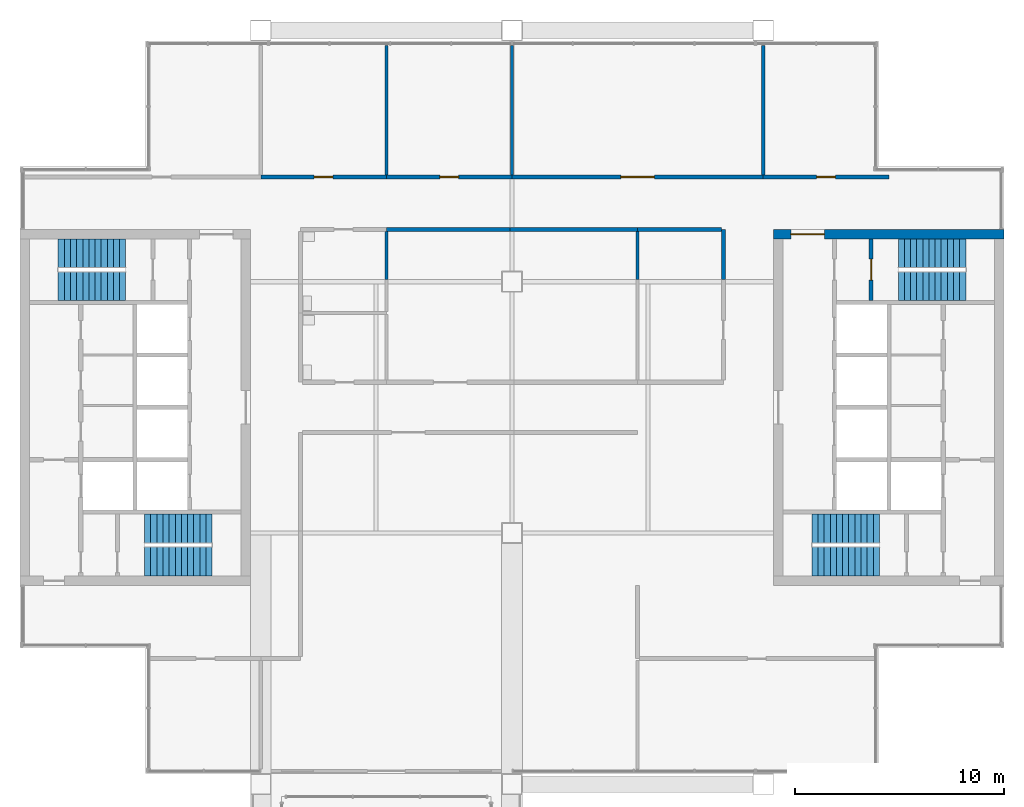
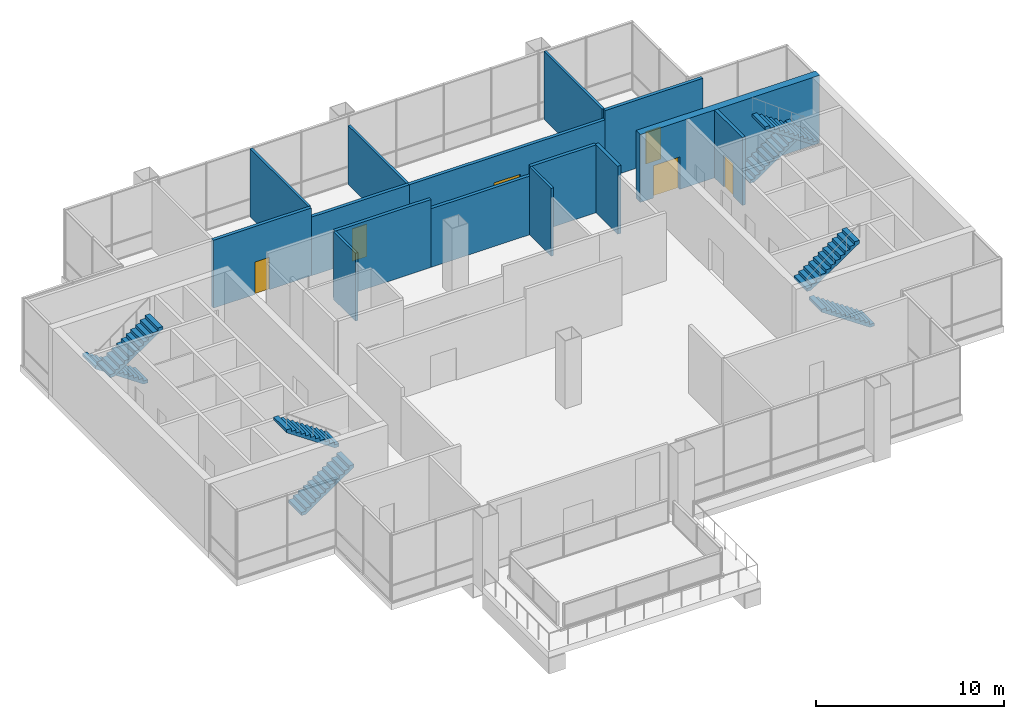
# One storey, part 13 of 15: 15 walls, 8 stair flights, 6 doors, 6 openings, 4 elements without a shape of their own.
"""IFC4 building model written with IfcOpenShell, lengths in metres."""

from ifc_helpers import new_model, si_unit, direction, frame, frame_2d, origin, place, context, subcontext, project, spatial, polyline, rectangle, outline, extrude, material, layer, layer_set, type_object, element, fill, aggregate, save


model = new_model("IFC4")

# Units and contexts
model_context = context("Model", 3, precision=1e-05, world=origin(), true_north=direction((0.0, 1.0)))
body_context = subcontext(model_context, "Body", "Model", "MODEL_VIEW")
ifc_project = project(units=[si_unit("LENGTHUNIT", "METRE"), si_unit("AREAUNIT", "SQUARE_METRE"), si_unit("VOLUMEUNIT", "CUBIC_METRE"), si_unit("PLANEANGLEUNIT", "RADIAN"), si_unit("MASSUNIT", "GRAM", prefix="KILO")], contexts=[model_context])

# Site, building, storey
site_placement = place(None, origin())
site = spatial("IfcSite", under=ifc_project, at=site_placement, CompositionType="ELEMENT")
building_placement = place(site_placement, origin())
building = spatial("IfcBuilding", under=site, at=building_placement, Name="Kitamizu Gate Tower and Museum", CompositionType="ELEMENT")
storey_placement = place(building_placement, frame((0.0, 0.0, 273.14990234375)))
storey = spatial("IfcBuildingStorey", under=building, at=storey_placement, Name="L74", CompositionType="ELEMENT", Elevation=273.14990234375)

# Wall, opening, door
ifc_material_1 = material(Name="Concrete Fc42", Category="concrete")
ifc_layer_1 = layer(ifc_material_1, 0.449951171875)
ifc_layer_set_1 = layer_set([ifc_layer_1], Name="Concrete Fc42")
wall_type_1 = type_object("IfcWallType", Name="Core wall 450 EI 60", PredefinedType="SHEAR", material=ifc_layer_set_1)
wall_1_placement = place(storey_placement, frame((59.5, 38.27490234375, 0.0), z_axis=(0.0, 0.0, 1.0), x_axis=(-1.0, 0.0, 0.0)))
wall_1 = element("IfcWall", 1, at=wall_1_placement, inside=storey, type_object=wall_type_1, Name="Core wall EN", PredefinedType="SHEAR", context=body_context, shape_type="SweptSolid", body=[
    extrude(rectangle(XDim=11.0, YDim=0.449951171875, at=frame_2d((5.5, 0.0))), origin(), (0.0, 0.0, 1.0), 4.400146484375),
])
opening_1_placement = place(wall_1_placement, frame((8.574951171875, 0.0, 0.0)))
opening_1 = element("IfcOpeningElement", 2, at=opening_1_placement, cuts=wall_1, Name="Opening L74-030", PredefinedType="OPENING", context=body_context, shape_type="SweptSolid", body=[
    extrude(rectangle(XDim=1.60009765625, YDim=2.10009765625, at=frame_2d((0.800048828125, 1.050048828125))), frame((0.0, 0.23486328125, 0.0), z_axis=(0.0, -1.0, 0.0), x_axis=(1.0, 0.0, 0.0)), (0.0, 0.0, 1.0), 0.469970703125),
])
ifc_material_2 = material(Name="Timber door set", Category="wood")
door_type_1 = type_object("IfcDoorType", Name="Entrance door 1600", OperationType="DOUBLE_DOOR_SINGLE_SWING", PredefinedType="DOOR", material=ifc_material_2)
door_1_placement = place(opening_1_placement, origin())
door_1 = element("IfcDoor", 3, at=door_1_placement, inside=storey, type_object=door_type_1, Name="Lobby door L74-030", OperationType="DOUBLE_DOOR_SINGLE_SWING", OverallHeight=2.10009765625, OverallWidth=1.60009765625, PredefinedType="DOOR", context=body_context, shape_type="SweptSolid", body=[
    extrude(rectangle(XDim=1.60009765625, YDim=2.10009765625, at=frame_2d((0.800048828125, 1.050048828125))), frame((0.0, 0.02490234375, 0.0), z_axis=(0.0, -1.0, 0.0), x_axis=(1.0, 0.0, 0.0)), (0.0, 0.0, 1.0), 0.050048828125),
])
fill(opening_1, door_1)

# Walls
ifc_material_3 = material(Name="Gypsum board on galvanised stud")
ifc_layer_2 = layer(ifc_material_3, 0.14990234375)
ifc_layer_set_2 = layer_set([ifc_layer_2], Name="Gypsum board on galvanised stud")
wall_type_2 = type_object("IfcWallType", Name="Partition 150", PredefinedType="PARTITIONING", material=ifc_layer_set_2)
wall_2_placement = place(storey_placement, frame((30.0, 41.10009765625, 0.0), z_axis=(0.0, 0.0, 1.0), x_axis=(0.0, 1.0, 0.0)))
element("IfcWall", 4, at=wall_2_placement, inside=storey, type_object=wall_type_2, Name="Partition L74-030", PredefinedType="PARTITIONING", context=body_context, shape_type="SweptSolid", body=[
    extrude(rectangle(XDim=6.179931640625, YDim=0.14990234375, at=frame_2d((3.08984375, 0.0))), origin(), (0.0, 0.0, 1.0), 4.400146484375),
])
wall_3_placement = place(storey_placement, frame((36.0, 41.10009765625, 0.0), z_axis=(0.0, 0.0, 1.0), x_axis=(0.0, 1.0, 0.0)))
element("IfcWall", 5, at=wall_3_placement, inside=storey, type_object=wall_type_2, Name="Partition L74-031", PredefinedType="PARTITIONING", context=body_context, shape_type="SweptSolid", body=[
    extrude(rectangle(XDim=6.179931640625, YDim=0.14990234375, at=frame_2d((3.08984375, 0.0))), origin(), (0.0, 0.0, 1.0), 3.800048828125),
])
wall_4_placement = place(storey_placement, frame((48.0, 41.10009765625, 0.0), z_axis=(0.0, 0.0, 1.0), x_axis=(0.0, 1.0, 0.0)))
element("IfcWall", 6, at=wall_4_placement, inside=storey, type_object=wall_type_2, Name="Partition L74-032", PredefinedType="PARTITIONING", context=body_context, shape_type="SweptSolid", body=[
    extrude(rectangle(XDim=6.179931640625, YDim=0.14990234375, at=frame_2d((3.08984375, 0.0))), origin(), (0.0, 0.0, 1.0), 4.400146484375),
])
for number, where, z_axis, x_axis, name in (
    (7, (30.0, 36.10009765625, 0.0), (0.0, 0.0, 1.0), (0.0, 1.0, 0.0), "Partition L74-035"),
    (8, (42.0, 36.10009765625, 0.0), (0.0, 0.0, 1.0), (0.0, 1.0, 0.0), "Partition L74-038"),
):
    element("IfcWall", number, at=place(storey_placement, frame(where, z_axis=z_axis, x_axis=x_axis)), inside=storey, type_object=wall_type_2, Name=name, PredefinedType="PARTITIONING", context=body_context, shape_type="SweptSolid", body=[
        extrude(rectangle(XDim=2.2998046875, YDim=0.14990234375, at=frame_2d((1.14990234375, 0.0))), origin(), (0.0, 0.0, 1.0), 4.400146484375),
    ])

# Wall, opening, door
ifc_material_4 = material(Name="Gypsum board on galvanised stud")
ifc_layer_3 = layer(ifc_material_4, 0.199951171875)
ifc_layer_set_3 = layer_set([ifc_layer_3], Name="Gypsum board on galvanised stud")
wall_type_3 = type_object("IfcWallType", Name="Partition 200", PredefinedType="PARTITIONING", material=ifc_layer_set_3)
wall_5_placement = place(storey_placement, frame((30.0, 41.0, 0.0), z_axis=(0.0, 0.0, 1.0), x_axis=(-1.0, 0.0, 0.0)))
wall_5 = element("IfcWall", 9, at=wall_5_placement, inside=storey, type_object=wall_type_3, Name="Partition L74-010", PredefinedType="PARTITIONING", context=body_context, shape_type="SweptSolid", body=[
    extrude(rectangle(XDim=6.0, YDim=0.199951171875, at=frame_2d((3.0, 0.0))), origin(), (0.0, 0.0, 1.0), 4.400146484375),
])
opening_2_placement = place(wall_5_placement, frame((2.550048828125, 0.0, 0.0)))
opening_2 = element("IfcOpeningElement", 10, at=opening_2_placement, cuts=wall_5, Name="Opening L74-005", PredefinedType="OPENING", context=body_context, shape_type="SweptSolid", body=[
    extrude(rectangle(XDim=0.89990234375, YDim=2.10009765625, at=frame_2d((0.449951171875, 1.050048828125))), frame((0.0, 0.10986328125, 0.0), z_axis=(0.0, -1.0, 0.0), x_axis=(1.0, 0.0, 0.0)), (0.0, 0.0, 1.0), 0.219970703125),
])
ifc_material_5 = material(Name="Timber door set", Category="wood")
door_type_2 = type_object("IfcDoorType", Name="Room door 900", OperationType="NOTDEFINED", PredefinedType="DOOR", material=ifc_material_5)
door_2_placement = place(opening_2_placement, frame((0.89990234375, 0.0, 0.0), x_axis=(-1.0, 0.0, 0.0)))
door_2 = element("IfcDoor", 11, at=door_2_placement, inside=storey, type_object=door_type_2, Name="Door L74-005", OperationType="SINGLE_SWING_LEFT", OverallHeight=2.10009765625, OverallWidth=0.89990234375, PredefinedType="DOOR", context=body_context, shape_type="SweptSolid", body=[
    extrude(rectangle(XDim=0.89990234375, YDim=2.10009765625, at=frame_2d((0.449951171875, 1.050048828125))), frame((0.0, 0.02490234375, 0.0), z_axis=(0.0, -1.0, 0.0), x_axis=(1.0, 0.0, 0.0)), (0.0, 0.0, 1.0), 0.050048828125),
])
fill(opening_2, door_2)

wall_6_placement = place(storey_placement, frame((36.0, 41.0, 0.0), z_axis=(0.0, 0.0, 1.0), x_axis=(-1.0, 0.0, 0.0)))
wall_6 = element("IfcWall", 12, at=wall_6_placement, inside=storey, type_object=wall_type_3, Name="Partition L74-011", PredefinedType="PARTITIONING", context=body_context, shape_type="SweptSolid", body=[
    extrude(rectangle(XDim=6.0, YDim=0.199951171875, at=frame_2d((3.0, 0.0))), origin(), (0.0, 0.0, 1.0), 3.800048828125),
])
opening_3_placement = place(wall_6_placement, frame((2.550048828125, 0.0, 0.0)))
opening_3 = element("IfcOpeningElement", 13, at=opening_3_placement, cuts=wall_6, Name="Opening L74-006", PredefinedType="OPENING", context=body_context, shape_type="SweptSolid", body=[
    extrude(rectangle(XDim=0.89990234375, YDim=2.10009765625, at=frame_2d((0.449951171875, 1.050048828125))), frame((0.0, 0.10986328125, 0.0), z_axis=(0.0, -1.0, 0.0), x_axis=(1.0, 0.0, 0.0)), (0.0, 0.0, 1.0), 0.219970703125),
])
door_3_placement = place(opening_3_placement, frame((0.89990234375, 0.0, 0.0), x_axis=(-1.0, 0.0, 0.0)))
door_3 = element("IfcDoor", 14, at=door_3_placement, inside=storey, type_object=door_type_2, Name="Door L74-006", OperationType="SINGLE_SWING_RIGHT", OverallHeight=2.10009765625, OverallWidth=0.89990234375, PredefinedType="DOOR", context=body_context, shape_type="SweptSolid", body=[
    extrude(rectangle(XDim=0.89990234375, YDim=2.10009765625, at=frame_2d((0.449951171875, 1.050048828125))), frame((0.0, 0.02490234375, 0.0), z_axis=(0.0, -1.0, 0.0), x_axis=(1.0, 0.0, 0.0)), (0.0, 0.0, 1.0), 0.050048828125),
])
fill(opening_3, door_3)

wall_7_placement = place(storey_placement, frame((48.0, 41.0, 0.0), z_axis=(0.0, 0.0, 1.0), x_axis=(-1.0, 0.0, 0.0)))
wall_7 = element("IfcWall", 15, at=wall_7_placement, inside=storey, type_object=wall_type_3, Name="Partition L74-012", PredefinedType="PARTITIONING", context=body_context, shape_type="SweptSolid", body=[
    extrude(rectangle(XDim=12.0, YDim=0.199951171875, at=frame_2d((6.0, 0.0))), origin(), (0.0, 0.0, 1.0), 3.800048828125),
])
opening_4_placement = place(wall_7_placement, frame((5.199951171875, 0.0, 0.0)))
opening_4 = element("IfcOpeningElement", 16, at=opening_4_placement, cuts=wall_7, Name="Opening L74-007", PredefinedType="OPENING", context=body_context, shape_type="SweptSolid", body=[
    extrude(rectangle(XDim=1.60009765625, YDim=2.10009765625, at=frame_2d((0.800048828125, 1.050048828125))), frame((0.0, 0.10986328125, 0.0), z_axis=(0.0, -1.0, 0.0), x_axis=(1.0, 0.0, 0.0)), (0.0, 0.0, 1.0), 0.219970703125),
])
ifc_material_6 = material(Name="Timber door set", Category="wood")
door_type_3 = type_object("IfcDoorType", Name="Double door 1600", OperationType="DOUBLE_DOOR_SINGLE_SWING", PredefinedType="DOOR", material=ifc_material_6)
door_4_placement = place(opening_4_placement, origin())
door_4 = element("IfcDoor", 17, at=door_4_placement, inside=storey, type_object=door_type_3, Name="Double door L74-007", OperationType="DOUBLE_DOOR_SINGLE_SWING", OverallHeight=2.10009765625, OverallWidth=1.60009765625, PredefinedType="DOOR", context=body_context, shape_type="SweptSolid", body=[
    extrude(rectangle(XDim=1.60009765625, YDim=2.10009765625, at=frame_2d((0.800048828125, 1.050048828125))), frame((0.0, 0.02490234375, 0.0), z_axis=(0.0, -1.0, 0.0), x_axis=(1.0, 0.0, 0.0)), (0.0, 0.0, 1.0), 0.050048828125),
])
fill(opening_4, door_4)

wall_8_placement = place(storey_placement, frame((54.0, 41.0, 0.0), z_axis=(0.0, 0.0, 1.0), x_axis=(-1.0, 0.0, 0.0)))
wall_8 = element("IfcWall", 18, at=wall_8_placement, inside=storey, type_object=wall_type_3, Name="Partition L74-013", PredefinedType="PARTITIONING", context=body_context, shape_type="SweptSolid", body=[
    extrude(rectangle(XDim=6.0, YDim=0.199951171875, at=frame_2d((3.0, 0.0))), origin(), (0.0, 0.0, 1.0), 4.400146484375),
])
opening_5_placement = place(wall_8_placement, frame((2.550048828125, 0.0, 0.0)))
opening_5 = element("IfcOpeningElement", 19, at=opening_5_placement, cuts=wall_8, Name="Opening L74-008", PredefinedType="OPENING", context=body_context, shape_type="SweptSolid", body=[
    extrude(rectangle(XDim=0.89990234375, YDim=2.10009765625, at=frame_2d((0.449951171875, 1.050048828125))), frame((0.0, 0.10986328125, 0.0), z_axis=(0.0, -1.0, 0.0), x_axis=(1.0, 0.0, 0.0)), (0.0, 0.0, 1.0), 0.219970703125),
])
door_5_placement = place(opening_5_placement, frame((0.89990234375, 0.0, 0.0), x_axis=(-1.0, 0.0, 0.0)))
door_5 = element("IfcDoor", 20, at=door_5_placement, inside=storey, type_object=door_type_2, Name="Door L74-008", OperationType="SINGLE_SWING_LEFT", OverallHeight=2.10009765625, OverallWidth=0.89990234375, PredefinedType="DOOR", context=body_context, shape_type="SweptSolid", body=[
    extrude(rectangle(XDim=0.89990234375, YDim=2.10009765625, at=frame_2d((0.449951171875, 1.050048828125))), frame((0.0, 0.02490234375, 0.0), z_axis=(0.0, -1.0, 0.0), x_axis=(1.0, 0.0, 0.0)), (0.0, 0.0, 1.0), 0.050048828125),
])
fill(opening_5, door_5)

# Walls
wall_9_placement = place(storey_placement, frame((42.0, 38.5, 0.0), z_axis=(0.0, 0.0, 1.0), x_axis=(-1.0, 0.0, 0.0)))
element("IfcWall", 21, at=wall_9_placement, inside=storey, type_object=wall_type_3, Name="Partition L74-021", PredefinedType="PARTITIONING", context=body_context, shape_type="SweptSolid", body=[
    extrude(rectangle(XDim=6.10009765625, YDim=0.199951171875, at=frame_2d((3.050048828125, 0.0))), origin(), (0.0, 0.0, 1.0), 3.800048828125),
])
wall_10_placement = place(storey_placement, frame((35.89990234375, 38.5, 0.0), z_axis=(0.0, 0.0, 1.0), x_axis=(-1.0, 0.0, 0.0)))
element("IfcWall", 22, at=wall_10_placement, inside=storey, type_object=wall_type_3, Name="Partition L74-022", PredefinedType="PARTITIONING", context=body_context, shape_type="SweptSolid", body=[
    extrude(rectangle(XDim=5.89990234375, YDim=0.199951171875, at=frame_2d((2.949951171875, 0.0))), origin(), (0.0, 0.0, 1.0), 4.400146484375),
])
wall_11_placement = place(storey_placement, frame((46.10009765625, 36.10009765625, 0.0), z_axis=(0.0, 0.0, 1.0), x_axis=(0.0, 1.0, 0.0)))
element("IfcWall", 23, at=wall_11_placement, inside=storey, type_object=wall_type_3, Name="Partition L74-025", PredefinedType="PARTITIONING", context=body_context, shape_type="SweptSolid", body=[
    extrude(rectangle(XDim=2.39990234375, YDim=0.199951171875, at=frame_2d((1.199951171875, 0.0))), origin(), (0.0, 0.0, 1.0), 4.400146484375),
])
wall_12_placement = place(storey_placement, frame((46.0, 38.5, 0.0), z_axis=(0.0, 0.0, 1.0), x_axis=(-1.0, 0.0, 0.0)))
element("IfcWall", 24, at=wall_12_placement, inside=storey, type_object=wall_type_3, Name="Partition L74-026", PredefinedType="PARTITIONING", context=body_context, shape_type="SweptSolid", body=[
    extrude(rectangle(XDim=4.0, YDim=0.199951171875, at=frame_2d((2.0, 0.0))), origin(), (0.0, 0.0, 1.0), 4.400146484375),
])

# Wall, opening, door
ifc_material_7 = material(Name="Concrete Fc42", Category="concrete")
ifc_layer_4 = layer(ifc_material_7, 0.199951171875)
ifc_layer_set_4 = layer_set([ifc_layer_4], Name="Concrete Fc42")
wall_type_4 = type_object("IfcWallType", Name="Shaft wall 200", PredefinedType="SOLIDWALL", material=ifc_layer_set_4)
wall_13_placement = place(storey_placement, frame((53.14990234375, 35.10009765625, 0.0), z_axis=(0.0, 0.0, 1.0), x_axis=(0.0, 1.0, 0.0)))
wall_13 = element("IfcWall", 25, at=wall_13_placement, inside=storey, type_object=wall_type_4, Name="Shaft wall ENZ", PredefinedType="SOLIDWALL", context=body_context, shape_type="SweptSolid", body=[
    extrude(rectangle(XDim=2.949951171875, YDim=0.199951171875, at=frame_2d((1.47509765625, 0.0))), origin(), (0.0, 0.0, 1.0), 4.400146484375),
])
opening_6_placement = place(wall_13_placement, frame((0.97509765625, 0.0, 0.0)))
opening_6 = element("IfcOpeningElement", 26, at=opening_6_placement, cuts=wall_13, Name="Opening L74-027", PredefinedType="OPENING", context=body_context, shape_type="SweptSolid", body=[
    extrude(rectangle(XDim=1.0, YDim=2.10009765625, at=frame_2d((0.5, 1.050048828125))), frame((0.0, 0.10986328125, 0.0), z_axis=(0.0, -1.0, 0.0), x_axis=(1.0, 0.0, 0.0)), (0.0, 0.0, 1.0), 0.219970703125),
])
ifc_material_8 = material(Name="Hollow metal door set")
door_type_4 = type_object("IfcDoorType", Name="Fire door 1000", OperationType="NOTDEFINED", PredefinedType="DOOR", material=ifc_material_8)
door_6_placement = place(opening_6_placement, frame((1.0, 0.0, 0.0), x_axis=(-1.0, 0.0, 0.0)))
door_6 = element("IfcDoor", 27, at=door_6_placement, inside=storey, type_object=door_type_4, Name="Stair door L74-027", OperationType="SINGLE_SWING_LEFT", OverallHeight=2.10009765625, OverallWidth=1.0, PredefinedType="DOOR", context=body_context, shape_type="SweptSolid", body=[
    extrude(rectangle(XDim=1.0, YDim=2.10009765625, at=frame_2d((0.5, 1.050048828125))), frame((0.0, 0.02490234375, 0.0), z_axis=(0.0, -1.0, 0.0), x_axis=(1.0, 0.0, 0.0)), (0.0, 0.0, 1.0), 0.050048828125),
])
fill(opening_6, door_6)

# Stair, stair flights
ifc_material_9 = material(Name="Concrete Fc42", Category="concrete")
stair_type = type_object("IfcStairType", Name="Exit stair 1375 wide 200 rise 293 going", PredefinedType="HALF_TURN_STAIR", material=ifc_material_9)
stair_1_placement = place(storey_placement, origin())
stair_1 = element("IfcStair", 28, at=stair_1_placement, inside=storey, type_object=stair_type, Name="Exit stair ST1", PredefinedType="HALF_TURN_STAIR")
ifc_material_10 = material(Name="Concrete Fc42", Category="concrete")
stair_flight_type = type_object("IfcStairFlightType", Name="Stair flight 1375 wide 200 rise 293 going", PredefinedType="STRAIGHT", material=ifc_material_10)
stair_flight_1_placement = place(storey_placement, frame((18.449951171875, 22.637451171875, 0.0), z_axis=(0.0, 0.0, 1.0), x_axis=(1.0, 0.0, 0.0)))
stair_flight_1 = element("IfcStairFlight", 29, at=stair_flight_1_placement, type_object=stair_flight_type, Name="ST1 flight 1", NumberOfRisers=12, NumberOfTreads=11, PredefinedType="STRAIGHT", RiserHeight=0.2, TreadLength=0.293181818, context=body_context, shape_type="SweptSolid", body=[
    extrude(outline(polyline([(0.0, 0.0), (0.0, 0.199951171875), (0.293212890625, 0.199951171875), (0.293212890625, 0.39990234375), (0.58642578125, 0.39990234375), (0.58642578125, 0.60009765625), (0.879638671875, 0.60009765625), (0.879638671875, 0.800048828125), (1.172607421875, 0.800048828125), (1.172607421875, 1.0), (1.4658203125, 1.0), (1.4658203125, 1.199951171875), (1.759033203125, 1.199951171875), (1.759033203125, 1.39990234375), (2.05224609375, 1.39990234375), (2.05224609375, 1.60009765625), (2.345458984375, 1.60009765625), (2.345458984375, 1.800048828125), (2.638671875, 1.800048828125), (2.638671875, 2.0), (2.931884765625, 2.0), (2.931884765625, 2.199951171875), (3.22509765625, 2.199951171875), (3.22509765625, 2.39990234375), (3.22509765625, 2.0185546875), (0.26611328125, 0.0), (0.0, 0.0)])), frame((0.0, 0.6875, 0.0), z_axis=(0.0, -1.0, 0.0), x_axis=(1.0, 0.0, 0.0)), (0.0, 0.0, 1.0), 1.375),
])
stair_flight_2_placement = place(storey_placement, frame((21.675048828125, 24.21240234375, 2.400146484375), z_axis=(0.0, 0.0, 1.0), x_axis=(-1.0, 0.0, 0.0)))
stair_flight_2 = element("IfcStairFlight", 30, at=stair_flight_2_placement, type_object=stair_flight_type, Name="ST1 flight 2", NumberOfRisers=12, NumberOfTreads=11, PredefinedType="STRAIGHT", RiserHeight=0.2, TreadLength=0.293181818, context=body_context, shape_type="SweptSolid", body=[
    extrude(outline(polyline([(0.0, 0.0), (0.0, 0.199951171875), (0.293212890625, 0.199951171875), (0.293212890625, 0.39990234375), (0.58642578125, 0.39990234375), (0.58642578125, 0.60009765625), (0.879638671875, 0.60009765625), (0.879638671875, 0.800048828125), (1.172607421875, 0.800048828125), (1.172607421875, 1.0), (1.4658203125, 1.0), (1.4658203125, 1.199951171875), (1.759033203125, 1.199951171875), (1.759033203125, 1.39990234375), (2.05224609375, 1.39990234375), (2.05224609375, 1.60009765625), (2.345458984375, 1.60009765625), (2.345458984375, 1.800048828125), (2.638671875, 1.800048828125), (2.638671875, 2.0), (2.931884765625, 2.0), (2.931884765625, 2.199951171875), (3.22509765625, 2.199951171875), (3.22509765625, 2.39990234375), (3.22509765625, 2.0185546875), (0.26611328125, 0.0), (0.0, 0.0)])), frame((0.0, 0.6875, 0.0), z_axis=(0.0, -1.0, 0.0), x_axis=(1.0, 0.0, 0.0)), (0.0, 0.0, 1.0), 1.375),
])
aggregate(stair_1, [stair_flight_1, stair_flight_2])

stair_2_placement = place(storey_placement, origin())
stair_2 = element("IfcStair", 31, at=stair_2_placement, inside=storey, type_object=stair_type, Name="Exit stair ST2", PredefinedType="HALF_TURN_STAIR")
stair_flight_3_placement = place(storey_placement, frame((17.550048828125, 37.362548828125, 0.0), z_axis=(0.0, 0.0, 1.0), x_axis=(-1.0, 0.0, 0.0)))
stair_flight_3 = element("IfcStairFlight", 32, at=stair_flight_3_placement, type_object=stair_flight_type, Name="ST2 flight 1", NumberOfRisers=12, NumberOfTreads=11, PredefinedType="STRAIGHT", RiserHeight=0.2, TreadLength=0.293181818, context=body_context, shape_type="SweptSolid", body=[
    extrude(outline(polyline([(0.0, 0.0), (0.0, 0.199951171875), (0.293212890625, 0.199951171875), (0.293212890625, 0.39990234375), (0.58642578125, 0.39990234375), (0.58642578125, 0.60009765625), (0.879638671875, 0.60009765625), (0.879638671875, 0.800048828125), (1.172607421875, 0.800048828125), (1.172607421875, 1.0), (1.4658203125, 1.0), (1.4658203125, 1.199951171875), (1.759033203125, 1.199951171875), (1.759033203125, 1.39990234375), (2.05224609375, 1.39990234375), (2.05224609375, 1.60009765625), (2.345458984375, 1.60009765625), (2.345458984375, 1.800048828125), (2.638671875, 1.800048828125), (2.638671875, 2.0), (2.931884765625, 2.0), (2.931884765625, 2.199951171875), (3.22509765625, 2.199951171875), (3.22509765625, 2.39990234375), (3.22509765625, 2.0185546875), (0.26611328125, 0.0), (0.0, 0.0)])), frame((0.0, 0.6875, 0.0), z_axis=(0.0, -1.0, 0.0), x_axis=(1.0, 0.0, 0.0)), (0.0, 0.0, 1.0), 1.375),
])
stair_flight_4_placement = place(storey_placement, frame((14.324951171875, 35.78759765625, 2.400146484375), z_axis=(0.0, 0.0, 1.0), x_axis=(1.0, 0.0, 0.0)))
stair_flight_4 = element("IfcStairFlight", 33, at=stair_flight_4_placement, type_object=stair_flight_type, Name="ST2 flight 2", NumberOfRisers=12, NumberOfTreads=11, PredefinedType="STRAIGHT", RiserHeight=0.2, TreadLength=0.293181818, context=body_context, shape_type="SweptSolid", body=[
    extrude(outline(polyline([(0.0, 0.0), (0.0, 0.199951171875), (0.293212890625, 0.199951171875), (0.293212890625, 0.39990234375), (0.58642578125, 0.39990234375), (0.58642578125, 0.60009765625), (0.879638671875, 0.60009765625), (0.879638671875, 0.800048828125), (1.172607421875, 0.800048828125), (1.172607421875, 1.0), (1.4658203125, 1.0), (1.4658203125, 1.199951171875), (1.759033203125, 1.199951171875), (1.759033203125, 1.39990234375), (2.05224609375, 1.39990234375), (2.05224609375, 1.60009765625), (2.345458984375, 1.60009765625), (2.345458984375, 1.800048828125), (2.638671875, 1.800048828125), (2.638671875, 2.0), (2.931884765625, 2.0), (2.931884765625, 2.199951171875), (3.22509765625, 2.199951171875), (3.22509765625, 2.39990234375), (3.22509765625, 2.0185546875), (0.26611328125, 0.0), (0.0, 0.0)])), frame((0.0, 0.6875, 0.0), z_axis=(0.0, -1.0, 0.0), x_axis=(1.0, 0.0, 0.0)), (0.0, 0.0, 1.0), 1.375),
])
aggregate(stair_2, [stair_flight_3, stair_flight_4])

stair_3_placement = place(storey_placement, origin())
stair_3 = element("IfcStair", 34, at=stair_3_placement, inside=storey, type_object=stair_type, Name="Exit stair ST3", PredefinedType="HALF_TURN_STAIR")
stair_flight_5_placement = place(storey_placement, frame((53.550048828125, 22.637451171875, 0.0), z_axis=(0.0, 0.0, 1.0), x_axis=(-1.0, 0.0, 0.0)))
stair_flight_5 = element("IfcStairFlight", 35, at=stair_flight_5_placement, type_object=stair_flight_type, Name="ST3 flight 1", NumberOfRisers=12, NumberOfTreads=11, PredefinedType="STRAIGHT", RiserHeight=0.2, TreadLength=0.293181818, context=body_context, shape_type="SweptSolid", body=[
    extrude(outline(polyline([(0.0, 0.0), (0.0, 0.199951171875), (0.293212890625, 0.199951171875), (0.293212890625, 0.39990234375), (0.58642578125, 0.39990234375), (0.58642578125, 0.60009765625), (0.879638671875, 0.60009765625), (0.879638671875, 0.800048828125), (1.172607421875, 0.800048828125), (1.172607421875, 1.0), (1.4658203125, 1.0), (1.4658203125, 1.199951171875), (1.759033203125, 1.199951171875), (1.759033203125, 1.39990234375), (2.05224609375, 1.39990234375), (2.05224609375, 1.60009765625), (2.345458984375, 1.60009765625), (2.345458984375, 1.800048828125), (2.638671875, 1.800048828125), (2.638671875, 2.0), (2.931884765625, 2.0), (2.931884765625, 2.199951171875), (3.22509765625, 2.199951171875), (3.22509765625, 2.39990234375), (3.22509765625, 2.0185546875), (0.26611328125, 0.0), (0.0, 0.0)])), frame((0.0, 0.6875, 0.0), z_axis=(0.0, -1.0, 0.0), x_axis=(1.0, 0.0, 0.0)), (0.0, 0.0, 1.0), 1.375),
])
stair_flight_6_placement = place(storey_placement, frame((50.324951171875, 24.21240234375, 2.400146484375), z_axis=(0.0, 0.0, 1.0), x_axis=(1.0, 0.0, 0.0)))
stair_flight_6 = element("IfcStairFlight", 36, at=stair_flight_6_placement, type_object=stair_flight_type, Name="ST3 flight 2", NumberOfRisers=12, NumberOfTreads=11, PredefinedType="STRAIGHT", RiserHeight=0.2, TreadLength=0.293181818, context=body_context, shape_type="SweptSolid", body=[
    extrude(outline(polyline([(0.0, 0.0), (0.0, 0.199951171875), (0.293212890625, 0.199951171875), (0.293212890625, 0.39990234375), (0.58642578125, 0.39990234375), (0.58642578125, 0.60009765625), (0.879638671875, 0.60009765625), (0.879638671875, 0.800048828125), (1.172607421875, 0.800048828125), (1.172607421875, 1.0), (1.4658203125, 1.0), (1.4658203125, 1.199951171875), (1.759033203125, 1.199951171875), (1.759033203125, 1.39990234375), (2.05224609375, 1.39990234375), (2.05224609375, 1.60009765625), (2.345458984375, 1.60009765625), (2.345458984375, 1.800048828125), (2.638671875, 1.800048828125), (2.638671875, 2.0), (2.931884765625, 2.0), (2.931884765625, 2.199951171875), (3.22509765625, 2.199951171875), (3.22509765625, 2.39990234375), (3.22509765625, 2.0185546875), (0.26611328125, 0.0), (0.0, 0.0)])), frame((0.0, 0.6875, 0.0), z_axis=(0.0, -1.0, 0.0), x_axis=(1.0, 0.0, 0.0)), (0.0, 0.0, 1.0), 1.375),
])
aggregate(stair_3, [stair_flight_5, stair_flight_6])

stair_4_placement = place(storey_placement, origin())
stair_4 = element("IfcStair", 37, at=stair_4_placement, inside=storey, type_object=stair_type, Name="Exit stair ST4", PredefinedType="HALF_TURN_STAIR")
stair_flight_7_placement = place(storey_placement, frame((54.449951171875, 37.362548828125, 0.0), z_axis=(0.0, 0.0, 1.0), x_axis=(1.0, 0.0, 0.0)))
stair_flight_7 = element("IfcStairFlight", 38, at=stair_flight_7_placement, type_object=stair_flight_type, Name="ST4 flight 1", NumberOfRisers=12, NumberOfTreads=11, PredefinedType="STRAIGHT", RiserHeight=0.2, TreadLength=0.293181818, context=body_context, shape_type="SweptSolid", body=[
    extrude(outline(polyline([(0.0, 0.0), (0.0, 0.199951171875), (0.293212890625, 0.199951171875), (0.293212890625, 0.39990234375), (0.58642578125, 0.39990234375), (0.58642578125, 0.60009765625), (0.879638671875, 0.60009765625), (0.879638671875, 0.800048828125), (1.172607421875, 0.800048828125), (1.172607421875, 1.0), (1.4658203125, 1.0), (1.4658203125, 1.199951171875), (1.759033203125, 1.199951171875), (1.759033203125, 1.39990234375), (2.05224609375, 1.39990234375), (2.05224609375, 1.60009765625), (2.345458984375, 1.60009765625), (2.345458984375, 1.800048828125), (2.638671875, 1.800048828125), (2.638671875, 2.0), (2.931884765625, 2.0), (2.931884765625, 2.199951171875), (3.22509765625, 2.199951171875), (3.22509765625, 2.39990234375), (3.22509765625, 2.0185546875), (0.26611328125, 0.0), (0.0, 0.0)])), frame((0.0, 0.6875, 0.0), z_axis=(0.0, -1.0, 0.0), x_axis=(1.0, 0.0, 0.0)), (0.0, 0.0, 1.0), 1.375),
])
stair_flight_8_placement = place(storey_placement, frame((57.675048828125, 35.78759765625, 2.400146484375), z_axis=(0.0, 0.0, 1.0), x_axis=(-1.0, 0.0, 0.0)))
stair_flight_8 = element("IfcStairFlight", 39, at=stair_flight_8_placement, type_object=stair_flight_type, Name="ST4 flight 2", NumberOfRisers=12, NumberOfTreads=11, PredefinedType="STRAIGHT", RiserHeight=0.2, TreadLength=0.293181818, context=body_context, shape_type="SweptSolid", body=[
    extrude(outline(polyline([(0.0, 0.0), (0.0, 0.199951171875), (0.293212890625, 0.199951171875), (0.293212890625, 0.39990234375), (0.58642578125, 0.39990234375), (0.58642578125, 0.60009765625), (0.879638671875, 0.60009765625), (0.879638671875, 0.800048828125), (1.172607421875, 0.800048828125), (1.172607421875, 1.0), (1.4658203125, 1.0), (1.4658203125, 1.199951171875), (1.759033203125, 1.199951171875), (1.759033203125, 1.39990234375), (2.05224609375, 1.39990234375), (2.05224609375, 1.60009765625), (2.345458984375, 1.60009765625), (2.345458984375, 1.800048828125), (2.638671875, 1.800048828125), (2.638671875, 2.0), (2.931884765625, 2.0), (2.931884765625, 2.199951171875), (3.22509765625, 2.199951171875), (3.22509765625, 2.39990234375), (3.22509765625, 2.0185546875), (0.26611328125, 0.0), (0.0, 0.0)])), frame((0.0, 0.6875, 0.0), z_axis=(0.0, -1.0, 0.0), x_axis=(1.0, 0.0, 0.0)), (0.0, 0.0, 1.0), 1.375),
])
aggregate(stair_4, [stair_flight_7, stair_flight_8])

save(model, "model.ifc")
